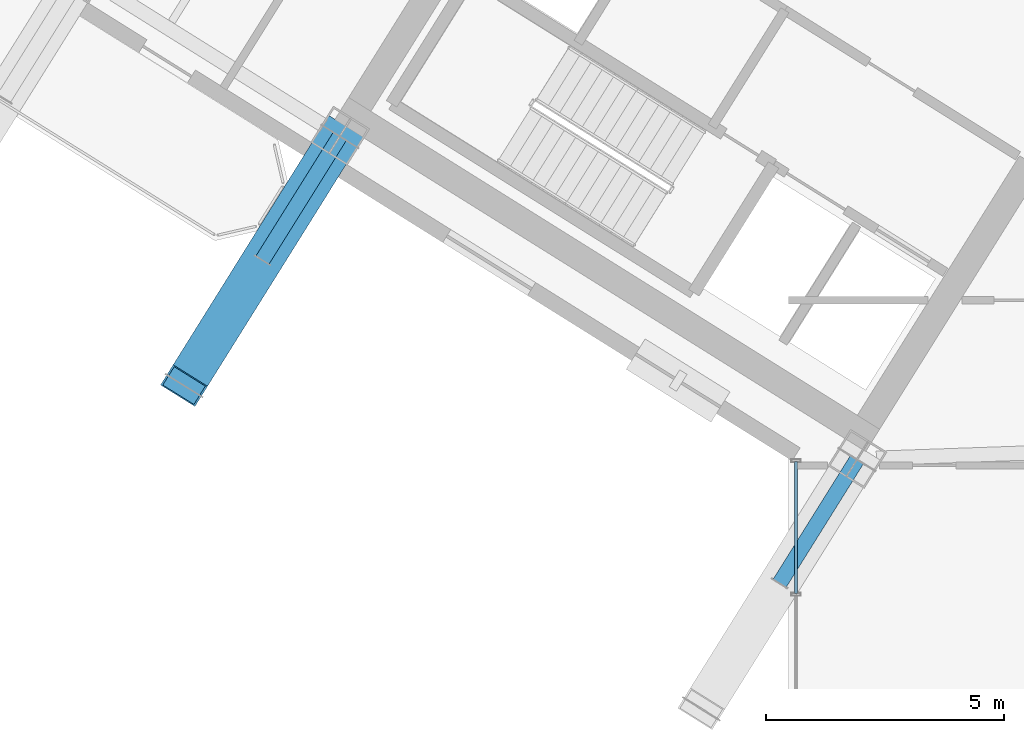
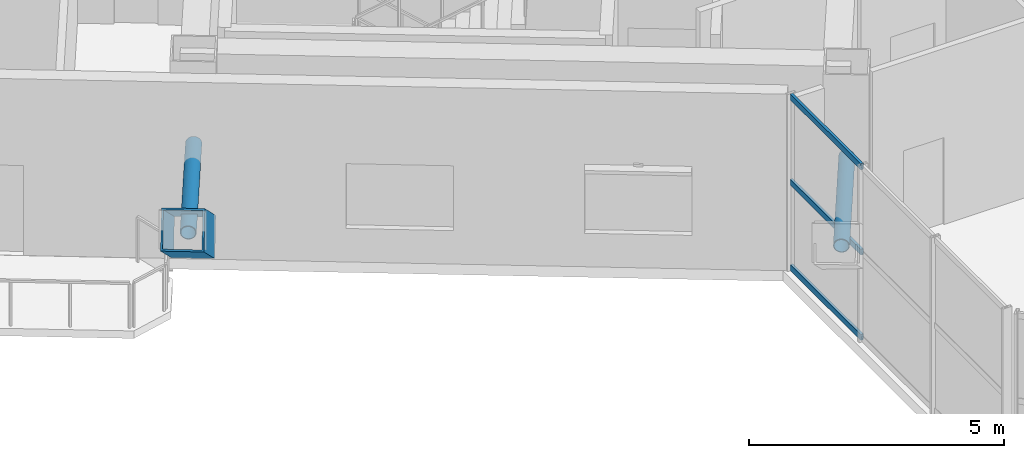
# One storey, part 5 of 32: 6 members, 1 element without a shape of its own.
"""IFC4 building model written with IfcOpenShell, lengths in metres."""

from ifc_helpers import new_model, si_unit, direction, frame, origin, origin_2d, place, context, subcontext, project, spatial, hollow_rectangle, hollow_circle, extrude, source, transform, mapped, material, material_profile, profile_set, type_object, element, aggregate, save


model = new_model("IFC4")

# Units and contexts
model_context = context("Model", 3, precision=1e-05, world=origin(), true_north=direction((0.0, 1.0)))
body_context = subcontext(model_context, "Body", "Model", "MODEL_VIEW")
ifc_project = project(units=[si_unit("LENGTHUNIT", "METRE"), si_unit("AREAUNIT", "SQUARE_METRE"), si_unit("VOLUMEUNIT", "CUBIC_METRE"), si_unit("PLANEANGLEUNIT", "RADIAN"), si_unit("MASSUNIT", "GRAM", prefix="KILO")], contexts=[model_context])

# Site, building, storey
site_placement = place(None, origin())
site = spatial("IfcSite", under=ifc_project, at=site_placement, CompositionType="ELEMENT")
building_placement = place(site_placement, origin())
building = spatial("IfcBuilding", under=site, at=building_placement, Name="Tlacorven Tower", CompositionType="ELEMENT")
storey_placement = place(building_placement, frame((0.0, 0.0, 123.300048828125)))
storey = spatial("IfcBuildingStorey", under=building, at=storey_placement, Name="L31", CompositionType="ELEMENT", Elevation=123.300048828125)

# Members
ifc_material_1 = material(Name="Steel S460M", Category="steel")
ifc_material_profile_1 = material_profile(ifc_material_1, hollow_rectangle(XDim=0.85009765625, YDim=0.85009765625, WallThickness=0.0400390625, at=origin_2d()), Name="BOX 850X850X40")
ifc_profile_set_1 = profile_set([ifc_material_profile_1], Name="Steel S460M")
member_type_1 = type_object("IfcMemberType", Name="MB-RAK-EXT", PredefinedType="STRUT", material=ifc_profile_set_1)
shared_shape_1 = source(origin(), body_context, "Body", "SweptSolid", [
    extrude(hollow_rectangle(XDim=0.85009765625, YDim=0.85009765625, WallThickness=0.0400390625, at=origin_2d()), origin(), (0.0, 0.0, 1.0), 7.62109375),
])
member_1_placement = place(storey_placement, frame((22.1826171875, 18.856201171875, 0.01171875), z_axis=(-0.428857238409, -0.686325351137, 0.587400188501), x_axis=(0.848051671646, -0.529913542211, 0.0)))
element("IfcMember", 1, at=member_1_placement, inside=storey, type_object=member_type_1, Name="L31 Block-Shift Raking Transfer Strut W3", PredefinedType="STRUT", context=body_context, shape_type="MappedRepresentation", body=[
    mapped(shared_shape_1, transform((0.0, 0.0, 0.0), scale=1.0)),
])
ifc_material_profile_2 = material_profile(ifc_material_1, hollow_circle(Radius=0.161865234375, WallThickness=0.01611328125, at=origin_2d()), Name="CHS 323.9X16")
ifc_profile_set_2 = profile_set([ifc_material_profile_2], Name="Steel S460M")
member_type_2 = type_object("IfcMemberType", Name="MB-SHF-BRC", PredefinedType="BRACE", material=ifc_profile_set_2)
shared_shape_2 = source(origin(), body_context, "Body", "SweptSolid", [
    extrude(hollow_circle(Radius=0.161865234375, WallThickness=0.01611328125, at=origin_2d()), origin(), (0.0, 0.0, 1.0), 3.06005859375),
])
member_2_placement = place(storey_placement, frame((33.03564453125, 12.06982421875, 2.25), z_axis=(-0.529934393004, -0.848038642463, 0.0), x_axis=(0.848038642463, -0.529934393004, 0.0)))
element("IfcMember", 2, at=member_2_placement, inside=storey, type_object=member_type_2, Name="L31 Raking Strut Stabilising Web Brace W1", PredefinedType="BRACE", context=body_context, shape_type="MappedRepresentation", body=[
    mapped(shared_shape_2, transform((0.0, 0.0, 0.0), scale=1.0)),
])
shared_shape_3 = source(origin(), body_context, "Body", "SweptSolid", [
    extrude(hollow_circle(Radius=0.161865234375, WallThickness=0.01611328125, at=origin_2d()), origin(), (0.0, 0.0, 1.0), 3.059814453125),
])
member_3_placement = place(storey_placement, frame((22.180419921875, 18.852783203125, 2.25), z_axis=(-0.529877010161, -0.848074497967, 0.0), x_axis=(0.848074497967, -0.529877010161, 0.0)))
element("IfcMember", 3, at=member_3_placement, inside=storey, type_object=member_type_2, Name="L31 Raking Strut Stabilising Web Brace W3", PredefinedType="BRACE", context=body_context, shape_type="MappedRepresentation", body=[
    mapped(shared_shape_3, transform((0.0, 0.0, 0.0), scale=1.0)),
])

# Curtain wall, members
ifc_material_2 = material(Name="Dark solar low-E double glazing in aluminium frame", Category="aluminium")
curtain_wall_type = type_object("IfcCurtainWallType", Name="CW-TWR-MID", PredefinedType="USERDEFINED", material=ifc_material_2)
curtain_wall_placement = place(storey_placement, origin())
curtain_wall = element("IfcCurtainWall", 4, at=curtain_wall_placement, inside=storey, type_object=curtain_wall_type, Name="L31 CW-TWR-MID Curtain Wall 154", ObjectType="UNITISED CURTAIN WALL", PredefinedType="USERDEFINED")
ifc_material_3 = material(Name="Aluminium 6063-T6 anodised", Category="aluminium")
ifc_material_profile_3 = material_profile(ifc_material_3, hollow_rectangle(XDim=0.06005859375, YDim=0.139892578125, WallThickness=0.00390625, at=origin_2d()), Name="ALU TRANSOM 60X140")
ifc_profile_set_3 = profile_set([ifc_material_profile_3], Name="Aluminium 6063-T6 anodised")
member_type_3 = type_object("IfcMemberType", Name="CWT-02", PredefinedType="USERDEFINED", material=ifc_profile_set_3)
shared_shape_4 = source(origin(), body_context, "Body", "SweptSolid", [
    extrude(hollow_rectangle(XDim=0.06005859375, YDim=0.139892578125, WallThickness=0.00390625, at=origin_2d()), origin(), (0.0, 0.0, 1.0), 2.765380859375),
])
member_4_placement = place(storey_placement, frame((31.760009765625, 9.2646484375, 0.070068359375), z_axis=(0.0, 1.0, 0.0), x_axis=(-1.0, 0.0, 0.0)))
member_4 = element("IfcMember", 5, at=member_4_placement, type_object=member_type_3, Name="CW-L31-154 Transom 7", ObjectType="TRANSOM", PredefinedType="USERDEFINED", context=body_context, shape_type="MappedRepresentation", body=[
    mapped(shared_shape_4, transform((0.0, 0.0, 0.0), scale=1.0)),
])
member_5_placement = place(storey_placement, frame((31.760009765625, 9.2646484375, 2.10986328125), z_axis=(0.0, 1.0, 0.0), x_axis=(-1.0, 0.0, 0.0)))
member_5 = element("IfcMember", 6, at=member_5_placement, type_object=member_type_3, Name="CW-L31-154 Transom 8", ObjectType="TRANSOM", PredefinedType="USERDEFINED", context=body_context, shape_type="MappedRepresentation", body=[
    mapped(shared_shape_4, transform((0.0, 0.0, 0.0), scale=1.0)),
])
member_6_placement = place(storey_placement, frame((31.760009765625, 9.2646484375, 4.14990234375), z_axis=(0.0, 1.0, 0.0), x_axis=(-1.0, 0.0, 0.0)))
member_6 = element("IfcMember", 7, at=member_6_placement, type_object=member_type_3, Name="CW-L31-154 Transom 9", ObjectType="TRANSOM", PredefinedType="USERDEFINED", context=body_context, shape_type="MappedRepresentation", body=[
    mapped(shared_shape_4, transform((0.0, 0.0, 0.0), scale=1.0)),
])
aggregate(curtain_wall, [member_4, member_5, member_6])

save(model, "model.ifc")
